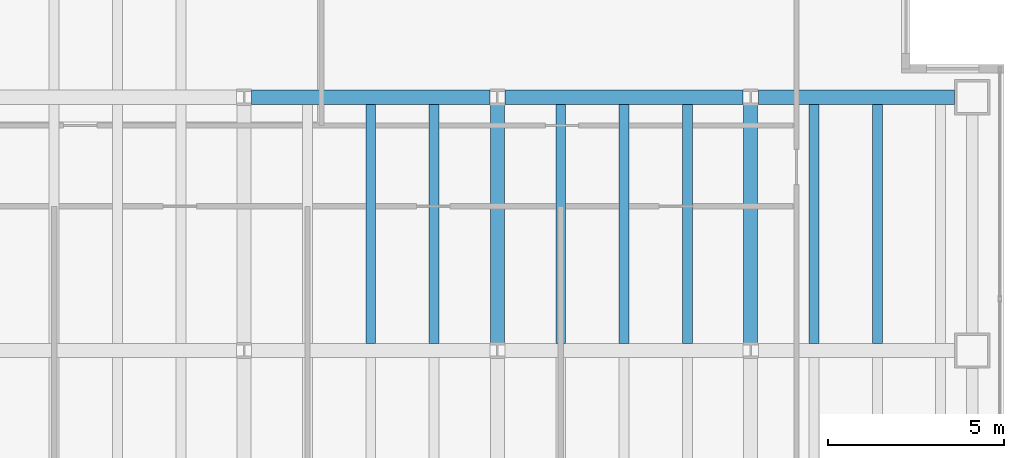
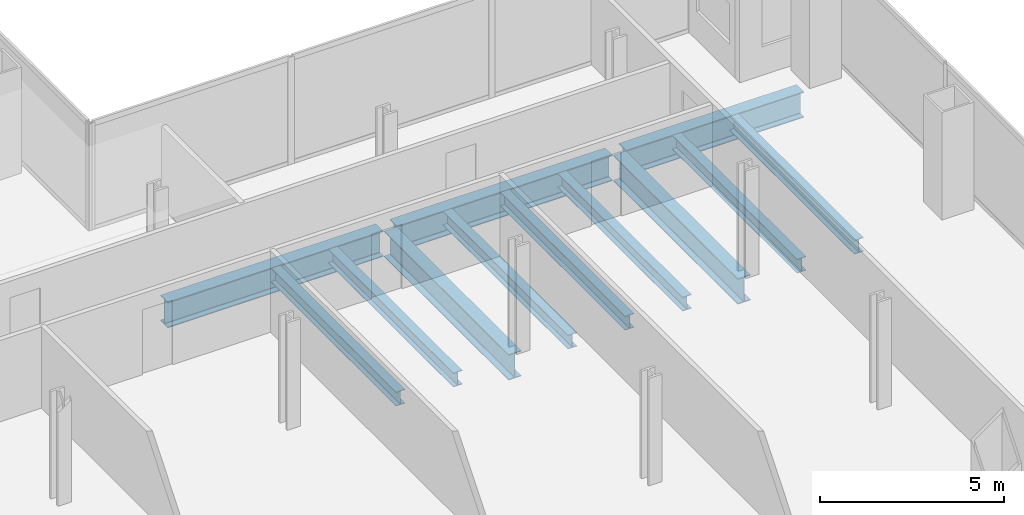
# One storey, part 11 of 23: 12 beams.
"""IFC4 building model written with IfcOpenShell, lengths in metres."""

from ifc_helpers import new_model, si_unit, direction, frame, origin, origin_2d, place, context, subcontext, project, spatial, i_section, extrude, material, material_profile, profile_set, type_object, element, save


model = new_model("IFC4")

# Units and contexts
model_context = context("Model", 3, precision=1e-05, world=origin(), true_north=direction((0.0, 1.0)))
body_context = subcontext(model_context, "Body", "Model", "MODEL_VIEW")
ifc_project = project(units=[si_unit("LENGTHUNIT", "METRE"), si_unit("AREAUNIT", "SQUARE_METRE"), si_unit("VOLUMEUNIT", "CUBIC_METRE"), si_unit("PLANEANGLEUNIT", "RADIAN"), si_unit("MASSUNIT", "GRAM", prefix="KILO")], contexts=[model_context])

# Site, building, storey
site_placement = place(None, origin())
site = spatial("IfcSite", under=ifc_project, at=site_placement, CompositionType="ELEMENT")
building_placement = place(site_placement, origin())
building = spatial("IfcBuilding", under=site, at=building_placement, Name="Cobrela Telecom Tower", CompositionType="ELEMENT")
storey_placement = place(building_placement, frame((0.0, 0.0, 50.39990234375)))
storey = spatial("IfcBuildingStorey", under=building, at=storey_placement, Name="L12", CompositionType="ELEMENT", Elevation=50.39990234375)

# Beams
ifc_material = material(Name="Steel ASTM A992 Grade 50", Category="steel")
ifc_material_profile_1 = material_profile(ifc_material, i_section(OverallWidth=0.39892578125, OverallDepth=0.85595703125, WebThickness=0.018310546875, FlangeThickness=0.029296875, FilletRadius=0.02001953125, at=origin_2d()), Name="W33X201")
ifc_profile_set_1 = profile_set([ifc_material_profile_1], Name="Steel ASTM A992 Grade 50")
beam_type_1 = type_object("IfcBeamType", Name="BM-GIRD-03", PredefinedType="USERDEFINED", material=ifc_profile_set_1)
for number, where, z_axis, x_axis, name in (
    (1, (29.01611328125, 21.60009765625, -0.7080078125), (1.0, 0.0, 0.0), (0.0, 1.0, 0.0), "L12 Primary Girder X20"),
    (2, (36.216064453125, 21.60009765625, -0.7080078125), (1.0, 0.0, 0.0), (0.0, 1.0, 0.0), "L12 Primary Girder X21"),
):
    element("IfcBeam", number, at=place(storey_placement, frame(where, z_axis=z_axis, x_axis=x_axis)), inside=storey, type_object=beam_type_1, Name=name, ObjectType="GIRDER", PredefinedType="USERDEFINED", context=body_context, shape_type="SweptSolid", body=[
        extrude(i_section(OverallWidth=0.39892578125, OverallDepth=0.85595703125, WebThickness=0.018310546875, FlangeThickness=0.029296875, FilletRadius=0.02001953125, at=origin_2d()), origin(), (0.0, 0.0, 1.0), 6.767822265625),
    ])
beam_placement = place(storey_placement, frame((43.416015625, 21.60009765625, -0.7080078125), z_axis=(1.0, 0.0, 0.0), x_axis=(0.0, 1.0, 0.0)))
element("IfcBeam", 3, at=beam_placement, inside=storey, type_object=beam_type_1, Name="L12 Primary Girder X22", ObjectType="GIRDER", PredefinedType="USERDEFINED", context=body_context, shape_type="SweptSolid", body=[
    extrude(i_section(OverallWidth=0.39892578125, OverallDepth=0.85595703125, WebThickness=0.018310546875, FlangeThickness=0.029296875, FilletRadius=0.02001953125, at=origin_2d()), origin(), (0.0, 0.0, 1.0), 5.5791015625),
])
for number, where, z_axis, x_axis, name in (
    (4, (36.0, 14.615966796875, -0.7080078125), (0.0, 1.0, 0.0), (-1.0, 0.0, 0.0), "L12 Primary Girder Y52"),
    (5, (43.199951171875, 14.615966796875, -0.7080078125), (0.0, 1.0, 0.0), (-1.0, 0.0, 0.0), "L12 Primary Girder Y55"),
):
    element("IfcBeam", number, at=place(storey_placement, frame(where, z_axis=z_axis, x_axis=x_axis)), inside=storey, type_object=beam_type_1, Name=name, ObjectType="GIRDER", PredefinedType="USERDEFINED", context=body_context, shape_type="SweptSolid", body=[
        extrude(i_section(OverallWidth=0.39892578125, OverallDepth=0.85595703125, WebThickness=0.018310546875, FlangeThickness=0.029296875, FilletRadius=0.02001953125, at=origin_2d()), origin(), (0.0, 0.0, 1.0), 6.76806640625),
    ])
ifc_material_profile_2 = material_profile(ifc_material, i_section(OverallWidth=0.281982421875, OverallDepth=0.467041015625, WebThickness=0.01220703125, FlangeThickness=0.01953125, FilletRadius=0.012939453125, at=origin_2d()), Name="W18X86")
ifc_profile_set_2 = profile_set([ifc_material_profile_2], Name="Steel ASTM A992 Grade 50")
beam_type_2 = type_object("IfcBeamType", Name="BM-JOIST-02", PredefinedType="JOIST", material=ifc_profile_set_2)
for number, where, z_axis, x_axis, name in (
    (6, (32.39990234375, 14.6044921875, -0.513427734375), (0.0, 1.0, 0.0), (-1.0, 0.0, 0.0), "L12 Secondary Composite Floor Beam J46"),
    (7, (34.199951171875, 14.6044921875, -0.513427734375), (0.0, 1.0, 0.0), (-1.0, 0.0, 0.0), "L12 Secondary Composite Floor Beam J49"),
    (8, (37.800048828125, 14.6044921875, -0.513427734375), (0.0, 1.0, 0.0), (-1.0, 0.0, 0.0), "L12 Secondary Composite Floor Beam J52"),
    (9, (39.60009765625, 14.6044921875, -0.513427734375), (0.0, 1.0, 0.0), (-1.0, 0.0, 0.0), "L12 Secondary Composite Floor Beam J55"),
    (10, (41.39990234375, 14.6044921875, -0.513427734375), (0.0, 1.0, 0.0), (-1.0, 0.0, 0.0), "L12 Secondary Composite Floor Beam J58"),
    (11, (45.0, 14.6044921875, -0.513427734375), (0.0, 1.0, 0.0), (-1.0, 0.0, 0.0), "L12 Secondary Composite Floor Beam J60"),
    (12, (46.800048828125, 14.6044921875, -0.513427734375), (0.0, 1.0, 0.0), (-1.0, 0.0, 0.0), "L12 Secondary Composite Floor Beam J62"),
):
    element("IfcBeam", number, at=place(storey_placement, frame(where, z_axis=z_axis, x_axis=x_axis)), inside=storey, type_object=beam_type_2, Name=name, PredefinedType="JOIST", context=body_context, shape_type="SweptSolid", body=[
        extrude(i_section(OverallWidth=0.281982421875, OverallDepth=0.467041015625, WebThickness=0.01220703125, FlangeThickness=0.01953125, FilletRadius=0.012939453125, at=origin_2d()), origin(), (0.0, 0.0, 1.0), 6.791015625),
    ])

save(model, "model.ifc")
